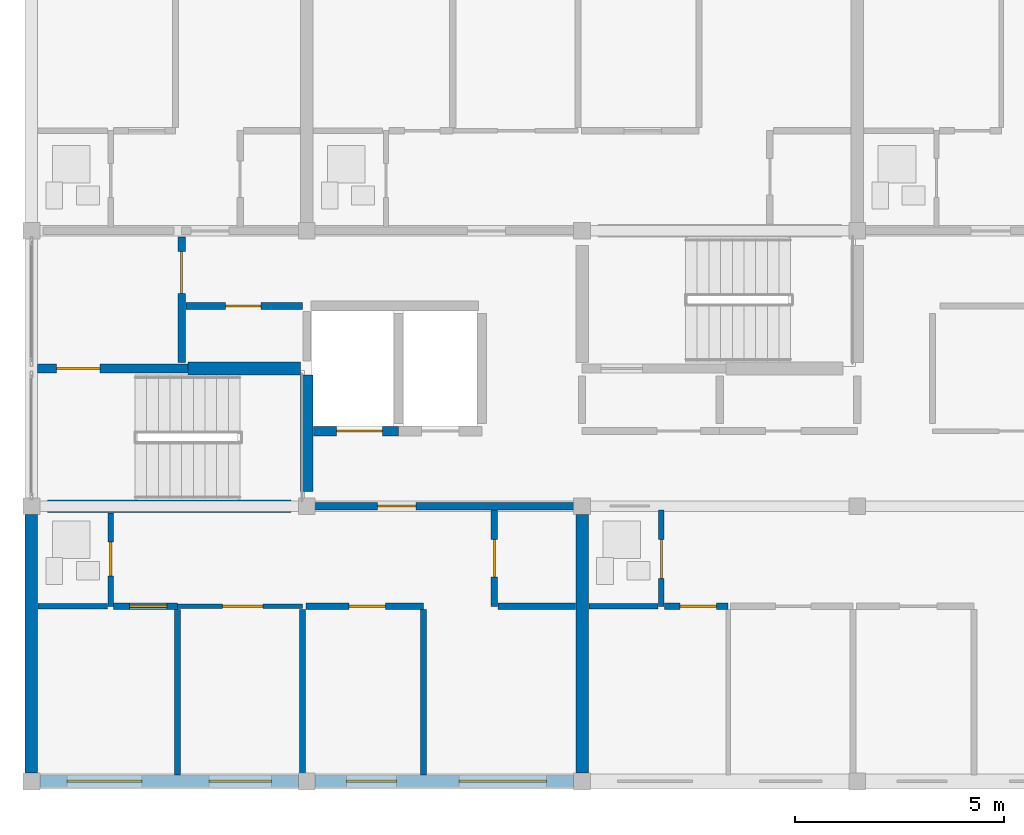
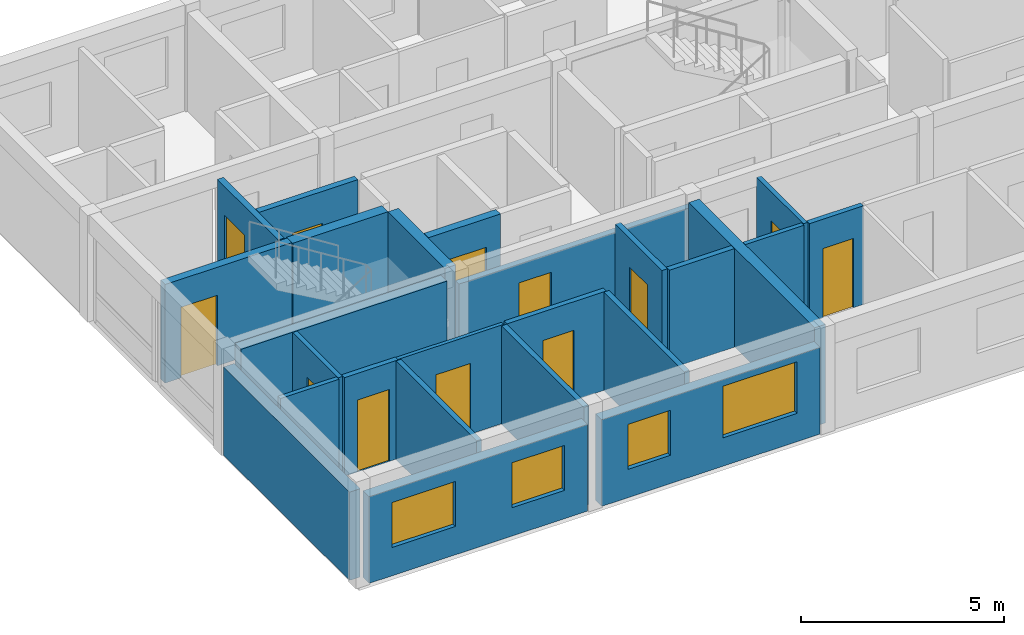
# One storey, part 24 of 45: 25 walls, 12 doors, 4 windows, 16 openings.
"""IFC4 building model written with IfcOpenShell, lengths in metres."""

from ifc_helpers import new_model, si_unit, direction, frame, frame_2d, origin, place, context, subcontext, project, spatial, rectangle, extrude, material, layer, layer_set, type_object, element, fill, save


model = new_model("IFC4")

# Units and contexts
model_context = context("Model", 3, precision=1e-05, world=origin(), true_north=direction((0.0, 1.0)))
body_context = subcontext(model_context, "Body", "Model", "MODEL_VIEW")
ifc_project = project(units=[si_unit("LENGTHUNIT", "METRE"), si_unit("AREAUNIT", "SQUARE_METRE"), si_unit("VOLUMEUNIT", "CUBIC_METRE"), si_unit("PLANEANGLEUNIT", "RADIAN"), si_unit("MASSUNIT", "GRAM", prefix="KILO")], contexts=[model_context])

# Site, building, storey
site_placement = place(None, origin())
site = spatial("IfcSite", under=ifc_project, at=site_placement, CompositionType="ELEMENT")
building_placement = place(site_placement, origin())
building = spatial("IfcBuilding", under=site, at=building_placement, Name="Kernevlak Ridge Housing Community", CompositionType="ELEMENT")
storey_placement = place(building_placement, frame((0.0, 0.0, 14.800048828125)))
storey = spatial("IfcBuildingStorey", under=building, at=storey_placement, Name="L04", CompositionType="ELEMENT", Elevation=14.800048828125)

# Wall, openings, windows
ifc_material_1 = material(Name="Concrete block masonry M10", Category="masonry")
ifc_layer_1 = layer(ifc_material_1, 0.300048828125, Name="Concrete block masonry M10")
ifc_layer_set_1 = layer_set([ifc_layer_1], Name="Concrete block masonry M10")
wall_type_1 = type_object("IfcWallType", Name="EW-01", PredefinedType="STANDARD", material=ifc_layer_set_1)
wall_1_placement = place(storey_placement, frame((15.800048828125, 15.60009765625, 0.0), z_axis=(0.0, 0.0, 1.0), x_axis=(1.0, 0.0, 0.0)))
wall_1 = element("IfcWall", 1, at=wall_1_placement, inside=storey, type_object=wall_type_1, Name="Exterior wall EW-01 L04 767", PredefinedType="STANDARD", context=body_context, shape_type="SweptSolid", body=[
    extrude(rectangle(XDim=6.199951171875, YDim=0.300048828125, at=frame_2d((3.10009765625, 0.0))), origin(), (0.0, 0.0, 1.0), 2.599853515625),
])
opening_1_placement = place(wall_1_placement, frame((0.64990234375, 0.0, 0.85009765625)))
opening_1 = element("IfcOpeningElement", 2, at=opening_1_placement, cuts=wall_1, Name="Opening WT-03", PredefinedType="OPENING", context=body_context, shape_type="SweptSolid", body=[
    extrude(rectangle(XDim=1.800048828125, YDim=1.35009765625, at=frame_2d((0.89990234375, 0.675048828125))), frame((0.0, 0.159912109375, 0.0), z_axis=(0.0, -1.0, 0.0), x_axis=(1.0, 0.0, 0.0)), (0.0, 0.0, 1.0), 0.320068359375),
])
opening_2_placement = place(wall_1_placement, frame((4.050048828125, 0.0, 0.85009765625)))
opening_2 = element("IfcOpeningElement", 3, at=opening_2_placement, cuts=wall_1, Name="Opening WT-02", PredefinedType="OPENING", context=body_context, shape_type="SweptSolid", body=[
    extrude(rectangle(XDim=1.5, YDim=1.35009765625, at=frame_2d((0.75, 0.675048828125))), frame((0.0, 0.159912109375, 0.0), z_axis=(0.0, -1.0, 0.0), x_axis=(1.0, 0.0, 0.0)), (0.0, 0.0, 1.0), 0.320068359375),
])
ifc_material_2 = material(Name="Aluminium EN AW-6060 anodised and laminated glass", Category="aluminium")
window_type_1 = type_object("IfcWindowType", Name="WT-02", PartitioningType="SINGLE_PANEL", PredefinedType="WINDOW", material=ifc_material_2)
window_1_placement = place(opening_2_placement, origin())
window_1 = element("IfcWindow", 4, at=window_1_placement, inside=storey, type_object=window_type_1, Name="Window WT-02 L04 636", OverallHeight=1.35009765625, OverallWidth=1.5, PartitioningType="SINGLE_PANEL", PredefinedType="WINDOW", context=body_context, shape_type="SweptSolid", body=[
    extrude(rectangle(XDim=1.5, YDim=1.35009765625, at=frame_2d((0.75, 0.675048828125))), frame((0.0, 0.030029296875, 0.0), z_axis=(0.0, -1.0, 0.0), x_axis=(1.0, 0.0, 0.0)), (0.0, 0.0, 1.0), 0.06005859375),
])
fill(opening_2, window_1)
window_type_2 = type_object("IfcWindowType", Name="WT-03", PartitioningType="SINGLE_PANEL", PredefinedType="WINDOW", material=ifc_material_2)
window_2_placement = place(opening_1_placement, origin())
window_2 = element("IfcWindow", 5, at=window_2_placement, inside=storey, type_object=window_type_2, Name="Window WT-03 L04 635", OverallHeight=1.35009765625, OverallWidth=1.800048828125, PartitioningType="SINGLE_PANEL", PredefinedType="WINDOW", context=body_context, shape_type="SweptSolid", body=[
    extrude(rectangle(XDim=1.800048828125, YDim=1.35009765625, at=frame_2d((0.89990234375, 0.675048828125))), frame((0.0, 0.030029296875, 0.0), z_axis=(0.0, -1.0, 0.0), x_axis=(1.0, 0.0, 0.0)), (0.0, 0.0, 1.0), 0.06005859375),
])
fill(opening_1, window_2)

wall_2_placement = place(storey_placement, frame((22.39990234375, 15.60009765625, 0.0), z_axis=(0.0, 0.0, 1.0), x_axis=(1.0, 0.0, 0.0)))
wall_2 = element("IfcWall", 6, at=wall_2_placement, inside=storey, type_object=wall_type_1, Name="Exterior wall EW-01 L04 768", PredefinedType="STANDARD", context=body_context, shape_type="SweptSolid", body=[
    extrude(rectangle(XDim=6.2001953125, YDim=0.300048828125, at=frame_2d((3.10009765625, 0.0))), origin(), (0.0, 0.0, 1.0), 2.599853515625),
])
opening_3_placement = place(wall_2_placement, frame((0.75, 0.0, 0.85009765625)))
opening_3 = element("IfcOpeningElement", 7, at=opening_3_placement, cuts=wall_2, Name="Opening WT-01", PredefinedType="OPENING", context=body_context, shape_type="SweptSolid", body=[
    extrude(rectangle(XDim=1.199951171875, YDim=1.35009765625, at=frame_2d((0.60009765625, 0.675048828125))), frame((0.0, 0.159912109375, 0.0), z_axis=(0.0, -1.0, 0.0), x_axis=(1.0, 0.0, 0.0)), (0.0, 0.0, 1.0), 0.320068359375),
])
opening_4_placement = place(wall_2_placement, frame((3.449951171875, 0.0, 0.85009765625)))
opening_4 = element("IfcOpeningElement", 8, at=opening_4_placement, cuts=wall_2, Name="Opening WT-05", PredefinedType="OPENING", context=body_context, shape_type="SweptSolid", body=[
    extrude(rectangle(XDim=2.10009765625, YDim=1.550048828125, at=frame_2d((1.050048828125, 0.77490234375))), frame((0.0, 0.159912109375, 0.0), z_axis=(0.0, -1.0, 0.0), x_axis=(1.0, 0.0, 0.0)), (0.0, 0.0, 1.0), 0.320068359375),
])
window_type_3 = type_object("IfcWindowType", Name="WT-01", PartitioningType="SINGLE_PANEL", PredefinedType="WINDOW", material=ifc_material_2)
window_3_placement = place(opening_3_placement, origin())
window_3 = element("IfcWindow", 9, at=window_3_placement, inside=storey, type_object=window_type_3, Name="Window WT-01 L04 637", OverallHeight=1.35009765625, OverallWidth=1.199951171875, PartitioningType="SINGLE_PANEL", PredefinedType="WINDOW", context=body_context, shape_type="SweptSolid", body=[
    extrude(rectangle(XDim=1.199951171875, YDim=1.35009765625, at=frame_2d((0.60009765625, 0.675048828125))), frame((0.0, 0.030029296875, 0.0), z_axis=(0.0, -1.0, 0.0), x_axis=(1.0, 0.0, 0.0)), (0.0, 0.0, 1.0), 0.06005859375),
])
fill(opening_3, window_3)
window_type_4 = type_object("IfcWindowType", Name="WT-05", PartitioningType="SINGLE_PANEL", PredefinedType="WINDOW", material=ifc_material_2)
window_4_placement = place(opening_4_placement, origin())
window_4 = element("IfcWindow", 10, at=window_4_placement, inside=storey, type_object=window_type_4, Name="Window WT-05 L04 638", OverallHeight=1.550048828125, OverallWidth=2.10009765625, PartitioningType="SINGLE_PANEL", PredefinedType="WINDOW", context=body_context, shape_type="SweptSolid", body=[
    extrude(rectangle(XDim=2.10009765625, YDim=1.550048828125, at=frame_2d((1.050048828125, 0.77490234375))), frame((0.0, 0.030029296875, 0.0), z_axis=(0.0, -1.0, 0.0), x_axis=(1.0, 0.0, 0.0)), (0.0, 0.0, 1.0), 0.06005859375),
])
fill(opening_4, window_4)

# Wall
wall_3_placement = place(storey_placement, frame((15.60009765625, 15.800048828125, 0.0), z_axis=(0.0, 0.0, 1.0), x_axis=(0.0, 1.0, 0.0)))
element("IfcWall", 11, at=wall_3_placement, inside=storey, type_object=wall_type_1, Name="Exterior wall EW-01 L04 777", PredefinedType="STANDARD", context=body_context, shape_type="SweptSolid", body=[
    extrude(rectangle(XDim=6.199951171875, YDim=0.300048828125, at=frame_2d((3.10009765625, 0.0))), origin(), (0.0, 0.0, 1.0), 2.64990234375),
])

# Wall, opening, door
ifc_material_3 = material(Name="Concrete C35/45", Category="concrete")
ifc_layer_2 = layer(ifc_material_3, 0.22509765625, Name="Concrete C35/45")
ifc_layer_set_2 = layer_set([ifc_layer_2], Name="Concrete C35/45")
wall_type_2 = type_object("IfcWallType", Name="PW-01", PredefinedType="STANDARD", material=ifc_layer_set_2)
wall_4_placement = place(storey_placement, frame((15.75, 25.5, 0.0), z_axis=(0.0, 0.0, 1.0), x_axis=(1.0, 0.0, 0.0)))
wall_4 = element("IfcWall", 12, at=wall_4_placement, inside=storey, type_object=wall_type_2, Name="Interior wall PW-01 WAL-INT-L04-3175", PredefinedType="STANDARD", context=body_context, shape_type="SweptSolid", body=[
    extrude(rectangle(XDim=3.60009765625, YDim=0.22509765625, at=frame_2d((1.800048828125, 0.0))), origin(), (0.0, 0.0, 1.0), 2.9599609375),
])
opening_5_placement = place(wall_4_placement, frame((0.449951171875, 0.0, 0.0)))
opening_5 = element("IfcOpeningElement", 13, at=opening_5_placement, cuts=wall_4, Name="Opening E611", PredefinedType="OPENING", context=body_context, shape_type="SweptSolid", body=[
    extrude(rectangle(XDim=1.0400390625, YDim=2.1201171875, at=frame_2d((0.52001953125, 1.06005859375))), frame((0.0, 0.12255859375, 0.0), z_axis=(0.0, -1.0, 0.0), x_axis=(1.0, 0.0, 0.0)), (0.0, 0.0, 1.0), 0.2451171875),
])
ifc_material_4 = material(Name="Fire-rated sheet steel leaf", Category="steel")
door_type_1 = type_object("IfcDoorType", Name="DT-16", OperationType="NOTDEFINED", PredefinedType="DOOR", material=ifc_material_4)
door_1_placement = place(opening_5_placement, origin())
door_1 = element("IfcDoor", 14, at=door_1_placement, inside=storey, type_object=door_type_1, Name="Block D Stair 1 fire door E611", OperationType="SINGLE_SWING_RIGHT", OverallHeight=2.1201171875, OverallWidth=1.0400390625, PredefinedType="DOOR", context=body_context, shape_type="SweptSolid", body=[
    extrude(rectangle(XDim=1.0400390625, YDim=2.1201171875, at=frame_2d((0.52001953125, 1.06005859375))), frame((0.0, 0.02490234375, 0.0), z_axis=(0.0, -1.0, 0.0), x_axis=(1.0, 0.0, 0.0)), (0.0, 0.0, 1.0), 0.050048828125),
])
fill(opening_5, door_1)

wall_5_placement = place(storey_placement, frame((22.360107421875, 24.0, 0.0), z_axis=(0.0, 0.0, 1.0), x_axis=(1.0, 0.0, 0.0)))
wall_5 = element("IfcWall", 15, at=wall_5_placement, inside=storey, type_object=wall_type_2, Name="Interior wall PW-01 WAL-INT-L04-3179", PredefinedType="STANDARD", context=body_context, shape_type="SweptSolid", body=[
    extrude(rectangle(XDim=2.039794921875, YDim=0.22509765625, at=frame_2d((1.02001953125, 0.0))), origin(), (0.0, 0.0, 1.0), 2.9599609375),
])
opening_6_placement = place(wall_5_placement, frame((0.550048828125, 0.0, 0.0)))
opening_6 = element("IfcOpeningElement", 16, at=opening_6_placement, cuts=wall_5, Name="Opening LD86", PredefinedType="OPENING", context=body_context, shape_type="SweptSolid", body=[
    extrude(rectangle(XDim=1.10009765625, YDim=2.10009765625, at=frame_2d((0.550048828125, 1.050048828125))), frame((0.0, 0.12255859375, 0.0), z_axis=(0.0, -1.0, 0.0), x_axis=(1.0, 0.0, 0.0)), (0.0, 0.0, 1.0), 0.2451171875),
])
ifc_material_5 = material(Name="Stainless steel EN 1.4401", Category="steel")
door_type_2 = type_object("IfcDoorType", Name="DT-LD1", OperationType="DOUBLE_DOOR_SLIDING", PredefinedType="DOOR", material=ifc_material_5)
door_2_placement = place(opening_6_placement, origin())
door_2 = element("IfcDoor", 17, at=door_2_placement, inside=storey, type_object=door_type_2, Name="Lift LF-D1 landing door LD86", OperationType="DOUBLE_DOOR_SLIDING", OverallHeight=2.10009765625, OverallWidth=1.10009765625, PredefinedType="DOOR", context=body_context, shape_type="SweptSolid", body=[
    extrude(rectangle(XDim=1.10009765625, YDim=2.10009765625, at=frame_2d((0.550048828125, 1.050048828125))), frame((0.0, 0.02490234375, 0.0), z_axis=(0.0, -1.0, 0.0), x_axis=(1.0, 0.0, 0.0)), (0.0, 0.0, 1.0), 0.050048828125),
])
fill(opening_6, door_2)

ifc_layer_3 = layer(ifc_material_1, 0.175048828125, Name="Concrete block masonry M10")
ifc_layer_set_3 = layer_set([ifc_layer_3], Name="Concrete block masonry M10")
wall_type_3 = type_object("IfcWallType", Name="PW-02", PredefinedType="PARTITIONING", material=ifc_layer_set_3)
wall_6_placement = place(storey_placement, frame((19.199951171875, 25.64990234375, 0.0), z_axis=(0.0, 0.0, 1.0), x_axis=(0.0, 1.0, 0.0)))
wall_6 = element("IfcWall", 18, at=wall_6_placement, inside=storey, type_object=wall_type_3, Name="Interior wall PW-02 WAL-INT-L04-3176", PredefinedType="PARTITIONING", context=body_context, shape_type="SweptSolid", body=[
    extrude(rectangle(XDim=3.0, YDim=0.175048828125, at=frame_2d((1.5, 0.0))), origin(), (0.0, 0.0, 1.0), 2.9599609375),
])
opening_7_placement = place(wall_6_placement, frame((1.64990234375, 0.0, 0.0)))
opening_7 = element("IfcOpeningElement", 19, at=opening_7_placement, cuts=wall_6, Name="Opening E612", PredefinedType="OPENING", context=body_context, shape_type="SweptSolid", body=[
    extrude(rectangle(XDim=1.0, YDim=2.10009765625, at=frame_2d((0.5, 1.050048828125))), frame((0.0, 0.097412109375, 0.0), z_axis=(0.0, -1.0, 0.0), x_axis=(1.0, 0.0, 0.0)), (0.0, 0.0, 1.0), 0.195068359375),
])
door_type_3 = type_object("IfcDoorType", Name="DT-05", OperationType="NOTDEFINED", PredefinedType="DOOR", material=ifc_material_4)
door_3_placement = place(opening_7_placement, origin())
door_3 = element("IfcDoor", 20, at=door_3_placement, inside=storey, type_object=door_type_3, Name="Block D Firefighting lobby 1 door E612", OperationType="SINGLE_SWING_LEFT", OverallHeight=2.10009765625, OverallWidth=1.0, PredefinedType="DOOR", context=body_context, shape_type="SweptSolid", body=[
    extrude(rectangle(XDim=1.0, YDim=2.10009765625, at=frame_2d((0.5, 1.050048828125))), frame((0.0, 0.02490234375, 0.0), z_axis=(0.0, -1.0, 0.0), x_axis=(1.0, 0.0, 0.0)), (0.0, 0.0, 1.0), 0.050048828125),
])
fill(opening_7, door_3)

wall_7_placement = place(storey_placement, frame((19.300048828125, 27.0, 0.0), z_axis=(0.0, 0.0, 1.0), x_axis=(1.0, 0.0, 0.0)))
wall_7 = element("IfcWall", 21, at=wall_7_placement, inside=storey, type_object=wall_type_3, Name="Interior wall PW-02 WAL-INT-L04-3177", PredefinedType="PARTITIONING", context=body_context, shape_type="SweptSolid", body=[
    extrude(rectangle(XDim=2.800048828125, YDim=0.175048828125, at=frame_2d((1.39990234375, 0.0))), origin(), (0.0, 0.0, 1.0), 2.9599609375),
])
opening_8_placement = place(wall_7_placement, frame((0.949951171875, 0.0, 0.0)))
opening_8 = element("IfcOpeningElement", 22, at=opening_8_placement, cuts=wall_7, Name="Opening E613", PredefinedType="OPENING", context=body_context, shape_type="SweptSolid", body=[
    extrude(rectangle(XDim=0.85009765625, YDim=2.0, at=frame_2d((0.425048828125, 1.0))), frame((0.0, 0.097412109375, 0.0), z_axis=(0.0, -1.0, 0.0), x_axis=(1.0, 0.0, 0.0)), (0.0, 0.0, 1.0), 0.195068359375),
])
door_type_4 = type_object("IfcDoorType", Name="DT-07", OperationType="NOTDEFINED", PredefinedType="DOOR", material=ifc_material_4)
door_4_placement = place(opening_8_placement, origin())
door_4 = element("IfcDoor", 23, at=door_4_placement, inside=storey, type_object=door_type_4, Name="Block D Riser shaft door E613", OperationType="SINGLE_SWING_RIGHT", OverallHeight=2.0, OverallWidth=0.85009765625, PredefinedType="DOOR", context=body_context, shape_type="SweptSolid", body=[
    extrude(rectangle(XDim=0.85009765625, YDim=2.0, at=frame_2d((0.425048828125, 1.0))), frame((0.0, 0.02490234375, 0.0), z_axis=(0.0, -1.0, 0.0), x_axis=(1.0, 0.0, 0.0)), (0.0, 0.0, 1.0), 0.050048828125),
])
fill(opening_8, door_4)

wall_8_placement = place(storey_placement, frame((22.199951171875, 22.199951171875, 0.0), z_axis=(0.0, 0.0, 1.0), x_axis=(1.0, 0.0, 0.0)))
wall_8 = element("IfcWall", 24, at=wall_8_placement, inside=storey, type_object=wall_type_3, Name="Interior wall PW-02 WAL-INT-L04-3194", PredefinedType="PARTITIONING", context=body_context, shape_type="SweptSolid", body=[
    extrude(rectangle(XDim=6.60009765625, YDim=0.175048828125, at=frame_2d((3.300048828125, 0.0))), origin(), (0.0, 0.0, 1.0), 2.699951171875),
])
opening_9_placement = place(wall_8_placement, frame((1.699951171875, 0.0, 0.0)))
opening_9 = element("IfcOpeningElement", 25, at=opening_9_placement, cuts=wall_8, Name="Opening E618", PredefinedType="OPENING", context=body_context, shape_type="SweptSolid", body=[
    extrude(rectangle(XDim=0.919921875, YDim=2.139892578125, at=frame_2d((0.4599609375, 1.06982421875))), frame((0.0, 0.097412109375, 0.0), z_axis=(0.0, -1.0, 0.0), x_axis=(1.0, 0.0, 0.0)), (0.0, 0.0, 1.0), 0.195068359375),
])
ifc_material_6 = material(Name="Hardwood timber solid-core fire leaf", Category="wood")
door_type_5 = type_object("IfcDoorType", Name="DT-20", OperationType="NOTDEFINED", PredefinedType="DOOR", material=ifc_material_6)
door_5_placement = place(opening_9_placement, origin())
door_5 = element("IfcDoor", 26, at=door_5_placement, inside=storey, type_object=door_type_5, Name="Flat D0411 entrance fire door E618", OperationType="SINGLE_SWING_LEFT", OverallHeight=2.139892578125, OverallWidth=0.919921875, PredefinedType="DOOR", context=body_context, shape_type="SweptSolid", body=[
    extrude(rectangle(XDim=0.919921875, YDim=2.139892578125, at=frame_2d((0.4599609375, 1.06982421875))), frame((0.0, 0.02490234375, 0.0), z_axis=(0.0, -1.0, 0.0), x_axis=(1.0, 0.0, 0.0)), (0.0, 0.0, 1.0), 0.050048828125),
])
fill(opening_9, door_5)

ifc_layer_4 = layer(ifc_material_1, 0.14501953125, Name="Concrete block masonry M10")
ifc_layer_set_4 = layer_set([ifc_layer_4], Name="Concrete block masonry M10")
wall_type_4 = type_object("IfcWallType", Name="PW-03", PredefinedType="PARTITIONING", material=ifc_layer_set_4)
wall_9_placement = place(storey_placement, frame((17.572509765625, 19.800048828125, 0.0), z_axis=(0.0, 0.0, 1.0), x_axis=(1.0, 0.0, 0.0)))
wall_9 = element("IfcWall", 27, at=wall_9_placement, inside=storey, type_object=wall_type_4, Name="Interior wall PW-03 WAL-INT-L04-3199", PredefinedType="PARTITIONING", context=body_context, shape_type="SweptSolid", body=[
    extrude(rectangle(XDim=1.527587890625, YDim=0.14501953125, at=frame_2d((0.763671875, 0.0))), origin(), (0.0, 0.0, 1.0), 2.9599609375),
])
opening_10_placement = place(wall_9_placement, frame((0.375, 0.0, 0.0)))
opening_10 = element("IfcOpeningElement", 28, at=opening_10_placement, cuts=wall_9, Name="Opening E621", PredefinedType="OPENING", context=body_context, shape_type="SweptSolid", body=[
    extrude(rectangle(XDim=0.89990234375, YDim=2.159912109375, at=frame_2d((0.449951171875, 1.080078125))), frame((0.0, 0.08251953125, 0.0), z_axis=(0.0, -1.0, 0.0), x_axis=(1.0, 0.0, 0.0)), (0.0, 0.0, 1.0), 0.1650390625),
])
ifc_material_7 = material(Name="Hardwood timber leaf", Category="wood")
door_type_6 = type_object("IfcDoorType", Name="DT-22", OperationType="NOTDEFINED", PredefinedType="DOOR", material=ifc_material_7)
door_6_placement = place(opening_10_placement, origin())
door_6 = element("IfcDoor", 29, at=door_6_placement, inside=storey, type_object=door_type_6, Name="Flat D0411 bedroom door E621", OperationType="SINGLE_SWING_RIGHT", OverallHeight=2.159912109375, OverallWidth=0.89990234375, PredefinedType="DOOR", context=body_context, shape_type="SweptSolid", body=[
    extrude(rectangle(XDim=0.89990234375, YDim=2.159912109375, at=frame_2d((0.449951171875, 1.080078125))), frame((0.0, 0.02490234375, 0.0), z_axis=(0.0, -1.0, 0.0), x_axis=(1.0, 0.0, 0.0)), (0.0, 0.0, 1.0), 0.050048828125),
])
fill(opening_10, door_6)

# Walls
wall_10_placement = place(storey_placement, frame((19.10009765625, 19.717529296875, 0.0), z_axis=(0.0, 0.0, 1.0), x_axis=(0.0, -1.0, 0.0)))
element("IfcWall", 30, at=wall_10_placement, inside=storey, type_object=wall_type_4, Name="Interior wall PW-03 WAL-INT-L04-3200", PredefinedType="PARTITIONING", context=body_context, shape_type="SweptSolid", body=[
    extrude(rectangle(XDim=3.95751953125, YDim=0.14501953125, at=frame_2d((1.978759765625, 0.0))), origin(), (0.0, 0.0, 1.0), 2.9599609375),
])
wall_11_placement = place(storey_placement, frame((22.10009765625, 19.719970703125, 0.0), z_axis=(0.0, 0.0, 1.0), x_axis=(0.0, -1.0, 0.0)))
element("IfcWall", 31, at=wall_11_placement, inside=storey, type_object=wall_type_4, Name="Interior wall PW-03 WAL-INT-L04-3202", PredefinedType="PARTITIONING", context=body_context, shape_type="SweptSolid", body=[
    extrude(rectangle(XDim=4.0400390625, YDim=0.14501953125, at=frame_2d((2.02001953125, 0.0))), origin(), (0.0, 0.0, 1.0), 2.9599609375),
])

# Wall, opening, door
wall_12_placement = place(storey_placement, frame((22.1826171875, 19.800048828125, 0.0), z_axis=(0.0, 0.0, 1.0), x_axis=(1.0, 0.0, 0.0)))
wall_12 = element("IfcWall", 32, at=wall_12_placement, inside=storey, type_object=wall_type_4, Name="Interior wall PW-03 WAL-INT-L04-3203", PredefinedType="PARTITIONING", context=body_context, shape_type="SweptSolid", body=[
    extrude(rectangle(XDim=2.8173828125, YDim=0.14501953125, at=frame_2d((1.40869140625, 0.0))), origin(), (0.0, 0.0, 1.0), 2.9599609375),
])
opening_11_placement = place(wall_12_placement, frame((1.02490234375, 0.0, 0.0)))
opening_11 = element("IfcOpeningElement", 33, at=opening_11_placement, cuts=wall_12, Name="Opening E623", PredefinedType="OPENING", context=body_context, shape_type="SweptSolid", body=[
    extrude(rectangle(XDim=0.8798828125, YDim=2.10009765625, at=frame_2d((0.43994140625, 1.050048828125))), frame((0.0, 0.08251953125, 0.0), z_axis=(0.0, -1.0, 0.0), x_axis=(1.0, 0.0, 0.0)), (0.0, 0.0, 1.0), 0.1650390625),
])
door_type_7 = type_object("IfcDoorType", Name="DT-25", OperationType="NOTDEFINED", PredefinedType="DOOR", material=ifc_material_7)
door_7_placement = place(opening_11_placement, origin())
door_7 = element("IfcDoor", 34, at=door_7_placement, inside=storey, type_object=door_type_7, Name="Flat D0411 bedroom door E623", OperationType="SINGLE_SWING_RIGHT", OverallHeight=2.10009765625, OverallWidth=0.8798828125, PredefinedType="DOOR", context=body_context, shape_type="SweptSolid", body=[
    extrude(rectangle(XDim=0.8798828125, YDim=2.10009765625, at=frame_2d((0.43994140625, 1.050048828125))), frame((0.0, 0.02490234375, 0.0), z_axis=(0.0, -1.0, 0.0), x_axis=(1.0, 0.0, 0.0)), (0.0, 0.0, 1.0), 0.050048828125),
])
fill(opening_11, door_7)

# Wall
wall_13_placement = place(storey_placement, frame((25.0, 19.717529296875, 0.0), z_axis=(0.0, 0.0, 1.0), x_axis=(0.0, -1.0, 0.0)))
element("IfcWall", 35, at=wall_13_placement, inside=storey, type_object=wall_type_4, Name="Interior wall PW-03 WAL-INT-L04-3204", PredefinedType="PARTITIONING", context=body_context, shape_type="SweptSolid", body=[
    extrude(rectangle(XDim=3.95751953125, YDim=0.14501953125, at=frame_2d((1.978759765625, 0.0))), origin(), (0.0, 0.0, 1.0), 2.9599609375),
])

# Wall, opening, door
wall_14_placement = place(storey_placement, frame((30.7724609375, 19.800048828125, 0.0), z_axis=(0.0, 0.0, 1.0), x_axis=(1.0, 0.0, 0.0)))
wall_14 = element("IfcWall", 36, at=wall_14_placement, inside=storey, type_object=wall_type_4, Name="Interior wall PW-03 WAL-INT-L04-3210", PredefinedType="PARTITIONING", context=body_context, shape_type="SweptSolid", body=[
    extrude(rectangle(XDim=1.527587890625, YDim=0.14501953125, at=frame_2d((0.763671875, 0.0))), origin(), (0.0, 0.0, 1.0), 2.9599609375),
])
opening_12_placement = place(wall_14_placement, frame((0.375, 0.0, 0.0)))
opening_12 = element("IfcOpeningElement", 37, at=opening_12_placement, cuts=wall_14, Name="Opening E627", PredefinedType="OPENING", context=body_context, shape_type="SweptSolid", body=[
    extrude(rectangle(XDim=0.8701171875, YDim=2.080078125, at=frame_2d((0.43505859375, 1.0400390625))), frame((0.0, 0.08251953125, 0.0), z_axis=(0.0, -1.0, 0.0), x_axis=(1.0, 0.0, 0.0)), (0.0, 0.0, 1.0), 0.1650390625),
])
door_type_8 = type_object("IfcDoorType", Name="DT-32", OperationType="NOTDEFINED", PredefinedType="DOOR", material=ifc_material_7)
door_8_placement = place(opening_12_placement, origin())
door_8 = element("IfcDoor", 38, at=door_8_placement, inside=storey, type_object=door_type_8, Name="Flat D0412 bedroom door E627", OperationType="SINGLE_SWING_RIGHT", OverallHeight=2.080078125, OverallWidth=0.8701171875, PredefinedType="DOOR", context=body_context, shape_type="SweptSolid", body=[
    extrude(rectangle(XDim=0.8701171875, YDim=2.080078125, at=frame_2d((0.43505859375, 1.0400390625))), frame((0.0, 0.02490234375, 0.0), z_axis=(0.0, -1.0, 0.0), x_axis=(1.0, 0.0, 0.0)), (0.0, 0.0, 1.0), 0.050048828125),
])
fill(opening_12, door_8)

ifc_material_8 = material(Name="Gypsum plasterboard EN 520", Category="gypsum")
ifc_layer_5 = layer(ifc_material_8, 0.125, Name="Gypsum plasterboard EN 520")
ifc_layer_set_5 = layer_set([ifc_layer_5], Name="Gypsum plasterboard EN 520")
wall_type_5 = type_object("IfcWallType", Name="PW-04", PredefinedType="PARTITIONING", material=ifc_layer_set_5)
wall_15_placement = place(storey_placement, frame((17.5, 22.0400390625, 0.0), z_axis=(0.0, 0.0, 1.0), x_axis=(0.0, -1.0, 0.0)))
wall_15 = element("IfcWall", 39, at=wall_15_placement, inside=storey, type_object=wall_type_5, Name="Interior wall PW-04 WAL-INT-L04-3195", PredefinedType="PARTITIONING", context=body_context, shape_type="SweptSolid", body=[
    extrude(rectangle(XDim=2.239990234375, YDim=0.125, at=frame_2d((1.1201171875, 0.0))), origin(), (0.0, 0.0, 1.0), 2.9599609375),
])
opening_13_placement = place(wall_15_placement, frame((0.699951171875, 0.0, 0.0)))
opening_13 = element("IfcOpeningElement", 40, at=opening_13_placement, cuts=wall_15, Name="Opening E619", PredefinedType="OPENING", context=body_context, shape_type="SweptSolid", body=[
    extrude(rectangle(XDim=0.820068359375, YDim=2.050048828125, at=frame_2d((0.41015625, 1.02490234375))), frame((0.0, 0.072509765625, 0.0), z_axis=(0.0, -1.0, 0.0), x_axis=(1.0, 0.0, 0.0)), (0.0, 0.0, 1.0), 0.14501953125),
])
ifc_material_9 = material(Name="Hardwood timber moisture-resistant leaf", Category="wood")
door_type_9 = type_object("IfcDoorType", Name="DT-30", OperationType="NOTDEFINED", PredefinedType="DOOR", material=ifc_material_9)
door_9_placement = place(opening_13_placement, origin())
door_9 = element("IfcDoor", 41, at=door_9_placement, inside=storey, type_object=door_type_9, Name="Flat D0411 bathroom door E619", OperationType="SINGLE_SWING_RIGHT", OverallHeight=2.050048828125, OverallWidth=0.820068359375, PredefinedType="DOOR", context=body_context, shape_type="SweptSolid", body=[
    extrude(rectangle(XDim=0.820068359375, YDim=2.050048828125, at=frame_2d((0.41015625, 1.02490234375))), frame((0.0, 0.02490234375, 0.0), z_axis=(0.0, -1.0, 0.0), x_axis=(1.0, 0.0, 0.0)), (0.0, 0.0, 1.0), 0.050048828125),
])
fill(opening_13, door_9)

# Wall
wall_16_placement = place(storey_placement, frame((15.760009765625, 19.800048828125, 0.0), z_axis=(0.0, 0.0, 1.0), x_axis=(1.0, 0.0, 0.0)))
element("IfcWall", 42, at=wall_16_placement, inside=storey, type_object=wall_type_5, Name="Interior wall PW-04 WAL-INT-L04-3196", PredefinedType="PARTITIONING", context=body_context, shape_type="SweptSolid", body=[
    extrude(rectangle(XDim=1.659912109375, YDim=0.125, at=frame_2d((0.830078125, 0.0))), origin(), (0.0, 0.0, 1.0), 2.9599609375),
])

# Wall, opening, door
wall_17_placement = place(storey_placement, frame((30.699951171875, 22.1025390625, 0.0), z_axis=(0.0, 0.0, 1.0), x_axis=(0.0, -1.0, 0.0)))
wall_17 = element("IfcWall", 43, at=wall_17_placement, inside=storey, type_object=wall_type_5, Name="Interior wall PW-04 WAL-INT-L04-3206", PredefinedType="PARTITIONING", context=body_context, shape_type="SweptSolid", body=[
    extrude(rectangle(XDim=2.302490234375, YDim=0.125, at=frame_2d((1.1513671875, 0.0))), origin(), (0.0, 0.0, 1.0), 2.9599609375),
])
opening_14_placement = place(wall_17_placement, frame((0.699951171875, 0.0, 0.0)))
opening_14 = element("IfcOpeningElement", 44, at=opening_14_placement, cuts=wall_17, Name="Opening E625", PredefinedType="OPENING", context=body_context, shape_type="SweptSolid", body=[
    extrude(rectangle(XDim=0.93994140625, YDim=2.080078125, at=frame_2d((0.469970703125, 1.0400390625))), frame((0.0, 0.072509765625, 0.0), z_axis=(0.0, -1.0, 0.0), x_axis=(1.0, 0.0, 0.0)), (0.0, 0.0, 1.0), 0.14501953125),
])
door_type_10 = type_object("IfcDoorType", Name="DT-23", OperationType="NOTDEFINED", PredefinedType="DOOR", material=ifc_material_9)
door_10_placement = place(opening_14_placement, origin())
door_10 = element("IfcDoor", 45, at=door_10_placement, inside=storey, type_object=door_type_10, Name="Flat D0412 bathroom door E625", OperationType="SINGLE_SWING_RIGHT", OverallHeight=2.080078125, OverallWidth=0.93994140625, PredefinedType="DOOR", context=body_context, shape_type="SweptSolid", body=[
    extrude(rectangle(XDim=0.93994140625, YDim=2.080078125, at=frame_2d((0.469970703125, 1.0400390625))), frame((0.0, 0.02490234375, 0.0), z_axis=(0.0, -1.0, 0.0), x_axis=(1.0, 0.0, 0.0)), (0.0, 0.0, 1.0), 0.050048828125),
])
fill(opening_14, door_10)

# Wall
wall_18_placement = place(storey_placement, frame((28.9599609375, 19.800048828125, 0.0), z_axis=(0.0, 0.0, 1.0), x_axis=(1.0, 0.0, 0.0)))
element("IfcWall", 46, at=wall_18_placement, inside=storey, type_object=wall_type_5, Name="Interior wall PW-04 WAL-INT-L04-3207", PredefinedType="PARTITIONING", context=body_context, shape_type="SweptSolid", body=[
    extrude(rectangle(XDim=1.66015625, YDim=0.125, at=frame_2d((0.830078125, 0.0))), origin(), (0.0, 0.0, 1.0), 2.9599609375),
])

# Wall, opening, door
ifc_layer_6 = layer(ifc_material_8, 0.155029296875, Name="Gypsum plasterboard EN 520")
ifc_layer_set_6 = layer_set([ifc_layer_6], Name="Gypsum plasterboard EN 520")
wall_type_6 = type_object("IfcWallType", Name="PW-05", PredefinedType="PARTITIONING", material=ifc_layer_set_6)
wall_19_placement = place(storey_placement, frame((26.699951171875, 22.1025390625, 0.0), z_axis=(0.0, 0.0, 1.0), x_axis=(0.0, -1.0, 0.0)))
wall_19 = element("IfcWall", 47, at=wall_19_placement, inside=storey, type_object=wall_type_6, Name="Interior wall PW-05 WAL-INT-L04-3197", PredefinedType="PARTITIONING", context=body_context, shape_type="SweptSolid", body=[
    extrude(rectangle(XDim=2.302490234375, YDim=0.155029296875, at=frame_2d((1.1513671875, 0.0))), origin(), (0.0, 0.0, 1.0), 2.9599609375),
])
opening_15_placement = place(wall_19_placement, frame((0.699951171875, 0.0, 0.0)))
opening_15 = element("IfcOpeningElement", 48, at=opening_15_placement, cuts=wall_19, Name="Opening E620", PredefinedType="OPENING", context=body_context, shape_type="SweptSolid", body=[
    extrude(rectangle(XDim=0.89990234375, YDim=2.10009765625, at=frame_2d((0.449951171875, 1.050048828125))), frame((0.0, 0.08740234375, 0.0), z_axis=(0.0, -1.0, 0.0), x_axis=(1.0, 0.0, 0.0)), (0.0, 0.0, 1.0), 0.175048828125),
])
door_type_11 = type_object("IfcDoorType", Name="DT-21", OperationType="NOTDEFINED", PredefinedType="DOOR", material=ifc_material_7)
door_11_placement = place(opening_15_placement, origin())
door_11 = element("IfcDoor", 49, at=door_11_placement, inside=storey, type_object=door_type_11, Name="Flat D0411 kitchen door E620", OperationType="SINGLE_SWING_LEFT", OverallHeight=2.10009765625, OverallWidth=0.89990234375, PredefinedType="DOOR", context=body_context, shape_type="SweptSolid", body=[
    extrude(rectangle(XDim=0.89990234375, YDim=2.10009765625, at=frame_2d((0.449951171875, 1.050048828125))), frame((0.0, 0.02490234375, 0.0), z_axis=(0.0, -1.0, 0.0), x_axis=(1.0, 0.0, 0.0)), (0.0, 0.0, 1.0), 0.050048828125),
])
fill(opening_15, door_11)

# Wall
wall_20_placement = place(storey_placement, frame((26.78759765625, 19.800048828125, 0.0), z_axis=(0.0, 0.0, 1.0), x_axis=(1.0, 0.0, 0.0)))
element("IfcWall", 50, at=wall_20_placement, inside=storey, type_object=wall_type_6, Name="Interior wall PW-05 WAL-INT-L04-3198", PredefinedType="PARTITIONING", context=body_context, shape_type="SweptSolid", body=[
    extrude(rectangle(XDim=1.852294921875, YDim=0.155029296875, at=frame_2d((0.92626953125, 0.0))), origin(), (0.0, 0.0, 1.0), 2.9599609375),
])

# Wall, opening, door
ifc_layer_7 = layer(ifc_material_8, 0.10498046875, Name="Gypsum plasterboard EN 520")
ifc_layer_set_7 = layer_set([ifc_layer_7], Name="Gypsum plasterboard EN 520")
wall_type_7 = type_object("IfcWallType", Name="PW-06", PredefinedType="PARTITIONING", material=ifc_layer_set_7)
wall_21_placement = place(storey_placement, frame((19.10009765625, 19.800048828125, 0.0), z_axis=(0.0, 0.0, 1.0), x_axis=(1.0, 0.0, 0.0)))
wall_21 = element("IfcWall", 51, at=wall_21_placement, inside=storey, type_object=wall_type_7, Name="Interior wall PW-06 WAL-INT-L04-3201", PredefinedType="PARTITIONING", context=body_context, shape_type="SweptSolid", body=[
    extrude(rectangle(XDim=3.0, YDim=0.10498046875, at=frame_2d((1.5, 0.0))), origin(), (0.0, 0.0, 1.0), 2.9599609375),
])
opening_16_placement = place(wall_21_placement, frame((1.074951171875, 0.0, 0.0)))
opening_16 = element("IfcOpeningElement", 52, at=opening_16_placement, cuts=wall_21, Name="Opening E622", PredefinedType="OPENING", context=body_context, shape_type="SweptSolid", body=[
    extrude(rectangle(XDim=0.97998046875, YDim=2.1201171875, at=frame_2d((0.489990234375, 1.06005859375))), frame((0.0, 0.0625, 0.0), z_axis=(0.0, -1.0, 0.0), x_axis=(1.0, 0.0, 0.0)), (0.0, 0.0, 1.0), 0.125),
])
door_type_12 = type_object("IfcDoorType", Name="DT-24", OperationType="NOTDEFINED", PredefinedType="DOOR", material=ifc_material_7)
door_12_placement = place(opening_16_placement, origin())
door_12 = element("IfcDoor", 53, at=door_12_placement, inside=storey, type_object=door_type_12, Name="Flat D0411 bedroom door E622", OperationType="SINGLE_SWING_LEFT", OverallHeight=2.1201171875, OverallWidth=0.97998046875, PredefinedType="DOOR", context=body_context, shape_type="SweptSolid", body=[
    extrude(rectangle(XDim=0.97998046875, YDim=2.1201171875, at=frame_2d((0.489990234375, 1.06005859375))), frame((0.0, 0.02490234375, 0.0), z_axis=(0.0, -1.0, 0.0), x_axis=(1.0, 0.0, 0.0)), (0.0, 0.0, 1.0), 0.050048828125),
])
fill(opening_16, door_12)

# Walls
ifc_material_10 = material(Name="Concrete C40/50", Category="concrete")
ifc_layer_8 = layer(ifc_material_10, 0.300048828125, Name="Concrete C40/50")
ifc_layer_set_8 = layer_set([ifc_layer_8], Name="Concrete C40/50")
wall_type_8 = type_object("IfcWallType", Name="SW-02", PredefinedType="SHEAR", material=ifc_layer_set_8)
wall_22_placement = place(storey_placement, frame((15.97998046875, 22.199951171875, 0.0), z_axis=(0.0, 0.0, 1.0), x_axis=(1.0, 0.0, 0.0)))
element("IfcWall", 54, at=wall_22_placement, inside=storey, type_object=wall_type_8, Name="Shear wall SW-02 Block D L04 547", PredefinedType="SHEAR", context=body_context, shape_type="SweptSolid", body=[
    extrude(rectangle(XDim=5.840087890625, YDim=0.300048828125, at=frame_2d((2.919921875, 0.0))), origin(), (0.0, 0.0, 1.0), 2.9599609375),
])
wall_23_placement = place(storey_placement, frame((19.35009765625, 25.5, 0.0), z_axis=(0.0, 0.0, 1.0), x_axis=(1.0, 0.0, 0.0)))
element("IfcWall", 55, at=wall_23_placement, inside=storey, type_object=wall_type_8, Name="Shear wall SW-02 Block D L04 548", PredefinedType="SHEAR", context=body_context, shape_type="SweptSolid", body=[
    extrude(rectangle(XDim=2.699951171875, YDim=0.300048828125, at=frame_2d((1.35009765625, 0.0))), origin(), (0.0, 0.0, 1.0), 2.9599609375),
])
wall_24_placement = place(storey_placement, frame((22.199951171875, 22.550048828125, 0.0), z_axis=(0.0, 0.0, 1.0), x_axis=(0.0, 1.0, 0.0)))
element("IfcWall", 56, at=wall_24_placement, inside=storey, type_object=wall_type_8, Name="Shear wall SW-02 Block D L04 549", PredefinedType="SHEAR", context=body_context, shape_type="SweptSolid", body=[
    extrude(rectangle(XDim=2.800048828125, YDim=0.300048828125, at=frame_2d((1.39990234375, 0.0))), origin(), (0.0, 0.0, 1.0), 2.9599609375),
])
wall_25_placement = place(storey_placement, frame((28.800048828125, 15.800048828125, 0.0), z_axis=(0.0, 0.0, 1.0), x_axis=(0.0, 1.0, 0.0)))
element("IfcWall", 57, at=wall_25_placement, inside=storey, type_object=wall_type_8, Name="Shear wall SW-02 Block D L04 554", PredefinedType="SHEAR", context=body_context, shape_type="SweptSolid", body=[
    extrude(rectangle(XDim=6.199951171875, YDim=0.300048828125, at=frame_2d((3.10009765625, 0.0))), origin(), (0.0, 0.0, 1.0), 2.9599609375),
])

save(model, "model.ifc")
